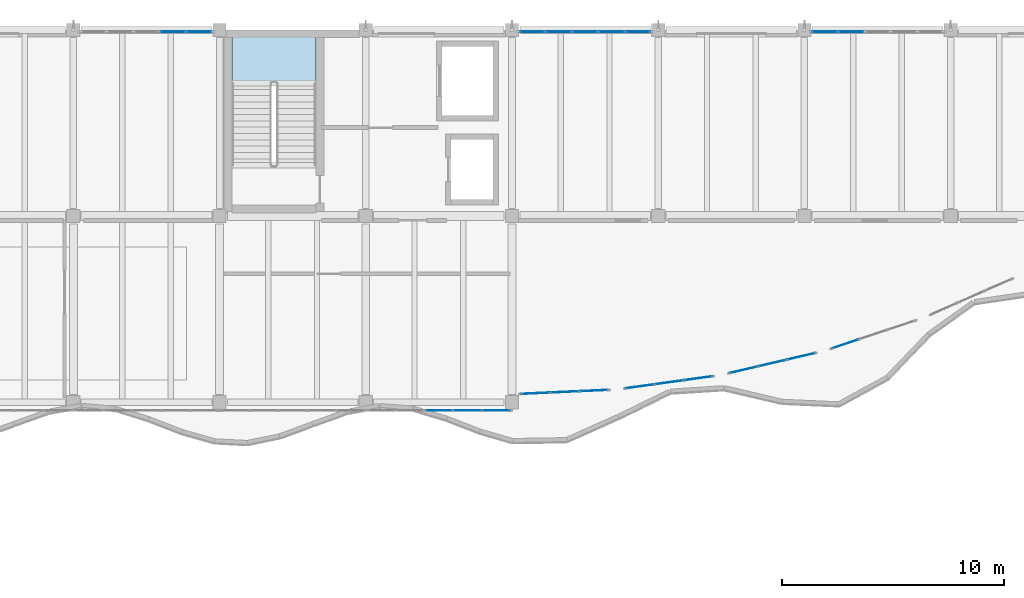
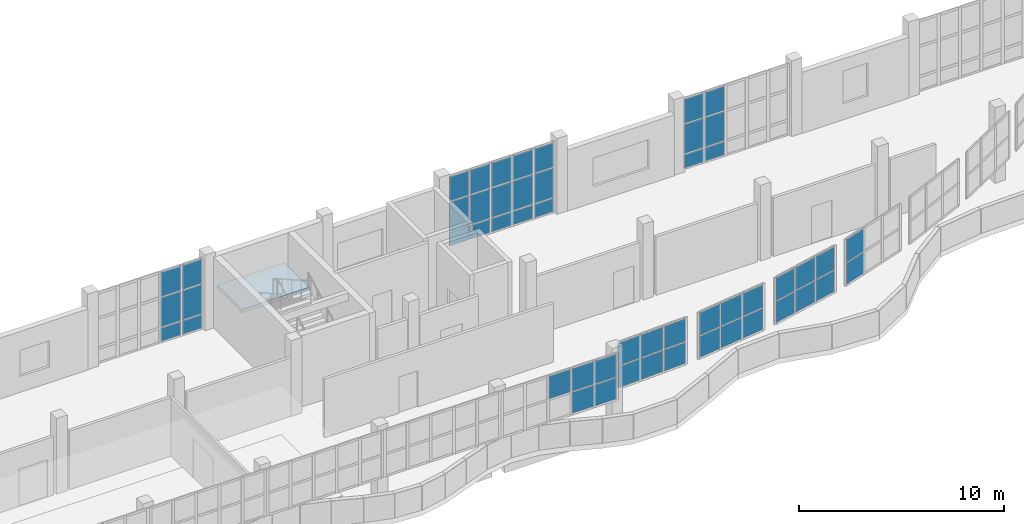
# One storey, part 37 of 76: 52 plates, 1 slab, 9 elements without a shape of their own.
"""IFC4 building model written with IfcOpenShell, lengths in metres."""

from ifc_helpers import new_model, si_unit, direction, frame, origin, origin_2d, place, context, subcontext, project, spatial, polyline, rectangle, outline, extrude, material, layer, layer_set, type_object, element, aggregate, save


model = new_model("IFC4")

# Units and contexts
model_context = context("Model", 3, precision=1e-05, world=origin(), true_north=direction((0.0, 1.0)))
body_context = subcontext(model_context, "Body", "Model", "MODEL_VIEW")
ifc_project = project(units=[si_unit("LENGTHUNIT", "METRE"), si_unit("AREAUNIT", "SQUARE_METRE"), si_unit("VOLUMEUNIT", "CUBIC_METRE"), si_unit("PLANEANGLEUNIT", "RADIAN"), si_unit("MASSUNIT", "GRAM", prefix="KILO")], contexts=[model_context])

# Site, building, storey
site_placement = place(None, origin())
site = spatial("IfcSite", under=ifc_project, at=site_placement, CompositionType="ELEMENT")
building_placement = place(site_placement, origin())
building = spatial("IfcBuilding", under=site, at=building_placement, Name="Qaldarim Faculty of Natural and Applied Sciences", CompositionType="ELEMENT")
storey_placement = place(building_placement, frame((0.0, 0.0, 9.89990234375)))
storey = spatial("IfcBuildingStorey", under=building, at=storey_placement, Name="L02", CompositionType="ELEMENT", Elevation=9.89990234375)

# Curtain wall, plates
ifc_material_1 = material(Name="Anodised aluminium AW-6063", Category="aluminium")
curtain_wall_type_1 = type_object("IfcCurtainWallType", Name="CurtainWallSystem-M1200", PredefinedType="USERDEFINED", material=ifc_material_1)
curtain_wall_1_placement = place(storey_placement, origin())
curtain_wall_1 = element("IfcCurtainWall", 1, at=curtain_wall_1_placement, inside=storey, type_object=curtain_wall_type_1, Name="Curtain wall CW-L02-N-X15Y14", ObjectType="STICK CURTAIN WALL", PredefinedType="USERDEFINED")
ifc_material_2 = material(Name="Insulated low-e double glazing", Category="glass")
ifc_layer_1 = layer(ifc_material_2, 0.031982421875)
ifc_layer_set_1 = layer_set([ifc_layer_1], Name="Insulated low-e double glazing")
plate_type_1 = type_object("IfcPlateType", Name="SolarControlGlazingPanel-32", PredefinedType="CURTAIN_PANEL", material=ifc_layer_set_1)
plate_1_placement = place(storey_placement, frame((98.08642578125, 117.52001953125, 0.070068359375), z_axis=(0.0, 0.0, 1.0), x_axis=(-1.0, 0.0, 0.0)))
plate_1 = element("IfcPlate", 2, at=plate_1_placement, type_object=plate_type_1, Name="Glazed panel 1-1 of CW-L02-N-X15Y14", PredefinedType="CURTAIN_PANEL", context=body_context, shape_type="SweptSolid", body=[
    extrude(rectangle(XDim=1.096923828125, YDim=0.031982421875, at=origin_2d()), origin(), (0.0, 0.0, 1.0), 0.794921875),
])
plate_2_placement = place(storey_placement, frame((98.08642578125, 117.52001953125, 0.93505859375), z_axis=(0.0, 0.0, 1.0), x_axis=(-1.0, 0.0, 0.0)))
plate_2 = element("IfcPlate", 3, at=plate_2_placement, type_object=plate_type_1, Name="Glazed panel 1-2 of CW-L02-N-X15Y14", PredefinedType="CURTAIN_PANEL", context=body_context, shape_type="SweptSolid", body=[
    extrude(rectangle(XDim=1.096923828125, YDim=0.031982421875, at=origin_2d()), origin(), (0.0, 0.0, 1.0), 1.72998046875),
])
plate_3_placement = place(storey_placement, frame((98.08642578125, 117.52001953125, 2.735107421875), z_axis=(0.0, 0.0, 1.0), x_axis=(-1.0, 0.0, 0.0)))
plate_3 = element("IfcPlate", 4, at=plate_3_placement, type_object=plate_type_1, Name="Glazed panel 1-3 of CW-L02-N-X15Y14", PredefinedType="CURTAIN_PANEL", context=body_context, shape_type="SweptSolid", body=[
    extrude(rectangle(XDim=1.096923828125, YDim=0.031982421875, at=origin_2d()), origin(), (0.0, 0.0, 1.0), 1.43505859375),
])
plate_4_placement = place(storey_placement, frame((96.902099609375, 117.52001953125, 0.070068359375), z_axis=(0.0, 0.0, 1.0), x_axis=(-1.0, 0.0, 0.0)))
plate_4 = element("IfcPlate", 5, at=plate_4_placement, type_object=plate_type_1, Name="Glazed panel 2-1 of CW-L02-N-X15Y14", PredefinedType="CURTAIN_PANEL", context=body_context, shape_type="SweptSolid", body=[
    extrude(rectangle(XDim=1.132080078125, YDim=0.031982421875, at=origin_2d()), origin(), (0.0, 0.0, 1.0), 0.794921875),
])
plate_5_placement = place(storey_placement, frame((96.902099609375, 117.52001953125, 0.93505859375), z_axis=(0.0, 0.0, 1.0), x_axis=(-1.0, 0.0, 0.0)))
plate_5 = element("IfcPlate", 6, at=plate_5_placement, type_object=plate_type_1, Name="Glazed panel 2-2 of CW-L02-N-X15Y14", PredefinedType="CURTAIN_PANEL", context=body_context, shape_type="SweptSolid", body=[
    extrude(rectangle(XDim=1.132080078125, YDim=0.031982421875, at=origin_2d()), origin(), (0.0, 0.0, 1.0), 1.72998046875),
])
plate_6_placement = place(storey_placement, frame((96.902099609375, 117.52001953125, 2.735107421875), z_axis=(0.0, 0.0, 1.0), x_axis=(-1.0, 0.0, 0.0)))
plate_6 = element("IfcPlate", 7, at=plate_6_placement, type_object=plate_type_1, Name="Glazed panel 2-3 of CW-L02-N-X15Y14", PredefinedType="CURTAIN_PANEL", context=body_context, shape_type="SweptSolid", body=[
    extrude(rectangle(XDim=1.132080078125, YDim=0.031982421875, at=origin_2d()), origin(), (0.0, 0.0, 1.0), 1.43505859375),
])
aggregate(curtain_wall_1, [plate_1, plate_2, plate_3, plate_4, plate_5, plate_6])

curtain_wall_2_placement = place(storey_placement, origin())
curtain_wall_2 = element("IfcCurtainWall", 8, at=curtain_wall_2_placement, inside=storey, type_object=curtain_wall_type_1, Name="Curtain wall CW-L02-N-X18Y14", ObjectType="STICK CURTAIN WALL", PredefinedType="USERDEFINED")
plate_7_placement = place(storey_placement, frame((117.886474609375, 117.52001953125, 0.070068359375), z_axis=(0.0, 0.0, 1.0), x_axis=(-1.0, 0.0, 0.0)))
plate_7 = element("IfcPlate", 9, at=plate_7_placement, type_object=plate_type_1, Name="Glazed panel 1-1 of CW-L02-N-X18Y14", PredefinedType="CURTAIN_PANEL", context=body_context, shape_type="SweptSolid", body=[
    extrude(rectangle(XDim=1.096923828125, YDim=0.031982421875, at=origin_2d()), origin(), (0.0, 0.0, 1.0), 0.794921875),
])
plate_8_placement = place(storey_placement, frame((117.886474609375, 117.52001953125, 0.93505859375), z_axis=(0.0, 0.0, 1.0), x_axis=(-1.0, 0.0, 0.0)))
plate_8 = element("IfcPlate", 10, at=plate_8_placement, type_object=plate_type_1, Name="Glazed panel 1-2 of CW-L02-N-X18Y14", PredefinedType="CURTAIN_PANEL", context=body_context, shape_type="SweptSolid", body=[
    extrude(rectangle(XDim=1.096923828125, YDim=0.031982421875, at=origin_2d()), origin(), (0.0, 0.0, 1.0), 1.72998046875),
])
plate_9_placement = place(storey_placement, frame((117.886474609375, 117.52001953125, 2.735107421875), z_axis=(0.0, 0.0, 1.0), x_axis=(-1.0, 0.0, 0.0)))
plate_9 = element("IfcPlate", 11, at=plate_9_placement, type_object=plate_type_1, Name="Glazed panel 1-3 of CW-L02-N-X18Y14", PredefinedType="CURTAIN_PANEL", context=body_context, shape_type="SweptSolid", body=[
    extrude(rectangle(XDim=1.096923828125, YDim=0.031982421875, at=origin_2d()), origin(), (0.0, 0.0, 1.0), 1.43505859375),
])
plate_10_placement = place(storey_placement, frame((116.701904296875, 117.52001953125, 0.070068359375), z_axis=(0.0, 0.0, 1.0), x_axis=(-1.0, 0.0, 0.0)))
plate_10 = element("IfcPlate", 12, at=plate_10_placement, type_object=plate_type_1, Name="Glazed panel 2-1 of CW-L02-N-X18Y14", PredefinedType="CURTAIN_PANEL", context=body_context, shape_type="SweptSolid", body=[
    extrude(rectangle(XDim=1.132080078125, YDim=0.031982421875, at=origin_2d()), origin(), (0.0, 0.0, 1.0), 0.794921875),
])
plate_11_placement = place(storey_placement, frame((116.701904296875, 117.52001953125, 0.93505859375), z_axis=(0.0, 0.0, 1.0), x_axis=(-1.0, 0.0, 0.0)))
plate_11 = element("IfcPlate", 13, at=plate_11_placement, type_object=plate_type_1, Name="Glazed panel 2-2 of CW-L02-N-X18Y14", PredefinedType="CURTAIN_PANEL", context=body_context, shape_type="SweptSolid", body=[
    extrude(rectangle(XDim=1.132080078125, YDim=0.031982421875, at=origin_2d()), origin(), (0.0, 0.0, 1.0), 1.72998046875),
])
plate_12_placement = place(storey_placement, frame((116.701904296875, 117.52001953125, 2.735107421875), z_axis=(0.0, 0.0, 1.0), x_axis=(-1.0, 0.0, 0.0)))
plate_12 = element("IfcPlate", 14, at=plate_12_placement, type_object=plate_type_1, Name="Glazed panel 2-3 of CW-L02-N-X18Y14", PredefinedType="CURTAIN_PANEL", context=body_context, shape_type="SweptSolid", body=[
    extrude(rectangle(XDim=1.132080078125, YDim=0.031982421875, at=origin_2d()), origin(), (0.0, 0.0, 1.0), 1.43505859375),
])
plate_13_placement = place(storey_placement, frame((115.5, 117.52001953125, 0.070068359375), z_axis=(0.0, 0.0, 1.0), x_axis=(-1.0, 0.0, 0.0)))
plate_13 = element("IfcPlate", 15, at=plate_13_placement, type_object=plate_type_1, Name="Glazed panel 3-1 of CW-L02-N-X18Y14", PredefinedType="CURTAIN_PANEL", context=body_context, shape_type="SweptSolid", body=[
    extrude(rectangle(XDim=1.132080078125, YDim=0.031982421875, at=origin_2d()), origin(), (0.0, 0.0, 1.0), 0.794921875),
])
plate_14_placement = place(storey_placement, frame((115.5, 117.52001953125, 0.93505859375), z_axis=(0.0, 0.0, 1.0), x_axis=(-1.0, 0.0, 0.0)))
plate_14 = element("IfcPlate", 16, at=plate_14_placement, type_object=plate_type_1, Name="Glazed panel 3-2 of CW-L02-N-X18Y14", PredefinedType="CURTAIN_PANEL", context=body_context, shape_type="SweptSolid", body=[
    extrude(rectangle(XDim=1.132080078125, YDim=0.031982421875, at=origin_2d()), origin(), (0.0, 0.0, 1.0), 1.72998046875),
])
plate_15_placement = place(storey_placement, frame((115.5, 117.52001953125, 2.735107421875), z_axis=(0.0, 0.0, 1.0), x_axis=(-1.0, 0.0, 0.0)))
plate_15 = element("IfcPlate", 17, at=plate_15_placement, type_object=plate_type_1, Name="Glazed panel 3-3 of CW-L02-N-X18Y14", PredefinedType="CURTAIN_PANEL", context=body_context, shape_type="SweptSolid", body=[
    extrude(rectangle(XDim=1.132080078125, YDim=0.031982421875, at=origin_2d()), origin(), (0.0, 0.0, 1.0), 1.43505859375),
])
plate_16_placement = place(storey_placement, frame((114.298095703125, 117.52001953125, 0.070068359375), z_axis=(0.0, 0.0, 1.0), x_axis=(-1.0, 0.0, 0.0)))
plate_16 = element("IfcPlate", 18, at=plate_16_placement, type_object=plate_type_1, Name="Glazed panel 4-1 of CW-L02-N-X18Y14", PredefinedType="CURTAIN_PANEL", context=body_context, shape_type="SweptSolid", body=[
    extrude(rectangle(XDim=1.132080078125, YDim=0.031982421875, at=origin_2d()), origin(), (0.0, 0.0, 1.0), 0.794921875),
])
plate_17_placement = place(storey_placement, frame((114.298095703125, 117.52001953125, 0.93505859375), z_axis=(0.0, 0.0, 1.0), x_axis=(-1.0, 0.0, 0.0)))
plate_17 = element("IfcPlate", 19, at=plate_17_placement, type_object=plate_type_1, Name="Glazed panel 4-2 of CW-L02-N-X18Y14", PredefinedType="CURTAIN_PANEL", context=body_context, shape_type="SweptSolid", body=[
    extrude(rectangle(XDim=1.132080078125, YDim=0.031982421875, at=origin_2d()), origin(), (0.0, 0.0, 1.0), 1.72998046875),
])
plate_18_placement = place(storey_placement, frame((114.298095703125, 117.52001953125, 2.735107421875), z_axis=(0.0, 0.0, 1.0), x_axis=(-1.0, 0.0, 0.0)))
plate_18 = element("IfcPlate", 20, at=plate_18_placement, type_object=plate_type_1, Name="Glazed panel 4-3 of CW-L02-N-X18Y14", PredefinedType="CURTAIN_PANEL", context=body_context, shape_type="SweptSolid", body=[
    extrude(rectangle(XDim=1.132080078125, YDim=0.031982421875, at=origin_2d()), origin(), (0.0, 0.0, 1.0), 1.43505859375),
])
plate_19_placement = place(storey_placement, frame((113.113525390625, 117.52001953125, 0.070068359375), z_axis=(0.0, 0.0, 1.0), x_axis=(-1.0, 0.0, 0.0)))
plate_19 = element("IfcPlate", 21, at=plate_19_placement, type_object=plate_type_1, Name="Glazed panel 5-1 of CW-L02-N-X18Y14", PredefinedType="CURTAIN_PANEL", context=body_context, shape_type="SweptSolid", body=[
    extrude(rectangle(XDim=1.096923828125, YDim=0.031982421875, at=origin_2d()), origin(), (0.0, 0.0, 1.0), 0.794921875),
])
plate_20_placement = place(storey_placement, frame((113.113525390625, 117.52001953125, 0.93505859375), z_axis=(0.0, 0.0, 1.0), x_axis=(-1.0, 0.0, 0.0)))
plate_20 = element("IfcPlate", 22, at=plate_20_placement, type_object=plate_type_1, Name="Glazed panel 5-2 of CW-L02-N-X18Y14", PredefinedType="CURTAIN_PANEL", context=body_context, shape_type="SweptSolid", body=[
    extrude(rectangle(XDim=1.096923828125, YDim=0.031982421875, at=origin_2d()), origin(), (0.0, 0.0, 1.0), 1.72998046875),
])
plate_21_placement = place(storey_placement, frame((113.113525390625, 117.52001953125, 2.735107421875), z_axis=(0.0, 0.0, 1.0), x_axis=(-1.0, 0.0, 0.0)))
plate_21 = element("IfcPlate", 23, at=plate_21_placement, type_object=plate_type_1, Name="Glazed panel 5-3 of CW-L02-N-X18Y14", PredefinedType="CURTAIN_PANEL", context=body_context, shape_type="SweptSolid", body=[
    extrude(rectangle(XDim=1.096923828125, YDim=0.031982421875, at=origin_2d()), origin(), (0.0, 0.0, 1.0), 1.43505859375),
])
aggregate(curtain_wall_2, [plate_7, plate_8, plate_9, plate_10, plate_11, plate_12, plate_13, plate_14, plate_15, plate_16, plate_17, plate_18, plate_19, plate_20, plate_21])

curtain_wall_3_placement = place(storey_placement, origin())
curtain_wall_3 = element("IfcCurtainWall", 24, at=curtain_wall_3_placement, inside=storey, type_object=curtain_wall_type_1, Name="Curtain wall CW-L02-N-X20Y14", ObjectType="STICK CURTAIN WALL", PredefinedType="USERDEFINED")
plate_22_placement = place(storey_placement, frame((127.498046875, 117.52001953125, 0.070068359375), z_axis=(0.0, 0.0, 1.0), x_axis=(-1.0, 0.0, 0.0)))
plate_22 = element("IfcPlate", 25, at=plate_22_placement, type_object=plate_type_1, Name="Glazed panel 4-1 of CW-L02-N-X20Y14", PredefinedType="CURTAIN_PANEL", context=body_context, shape_type="SweptSolid", body=[
    extrude(rectangle(XDim=1.132080078125, YDim=0.031982421875, at=origin_2d()), origin(), (0.0, 0.0, 1.0), 0.794921875),
])
plate_23_placement = place(storey_placement, frame((127.498046875, 117.52001953125, 0.93505859375), z_axis=(0.0, 0.0, 1.0), x_axis=(-1.0, 0.0, 0.0)))
plate_23 = element("IfcPlate", 26, at=plate_23_placement, type_object=plate_type_1, Name="Glazed panel 4-2 of CW-L02-N-X20Y14", PredefinedType="CURTAIN_PANEL", context=body_context, shape_type="SweptSolid", body=[
    extrude(rectangle(XDim=1.132080078125, YDim=0.031982421875, at=origin_2d()), origin(), (0.0, 0.0, 1.0), 1.72998046875),
])
plate_24_placement = place(storey_placement, frame((127.498046875, 117.52001953125, 2.735107421875), z_axis=(0.0, 0.0, 1.0), x_axis=(-1.0, 0.0, 0.0)))
plate_24 = element("IfcPlate", 27, at=plate_24_placement, type_object=plate_type_1, Name="Glazed panel 4-3 of CW-L02-N-X20Y14", PredefinedType="CURTAIN_PANEL", context=body_context, shape_type="SweptSolid", body=[
    extrude(rectangle(XDim=1.132080078125, YDim=0.031982421875, at=origin_2d()), origin(), (0.0, 0.0, 1.0), 1.43505859375),
])
plate_25_placement = place(storey_placement, frame((126.3134765625, 117.52001953125, 0.070068359375), z_axis=(0.0, 0.0, 1.0), x_axis=(-1.0, 0.0, 0.0)))
plate_25 = element("IfcPlate", 28, at=plate_25_placement, type_object=plate_type_1, Name="Glazed panel 5-1 of CW-L02-N-X20Y14", PredefinedType="CURTAIN_PANEL", context=body_context, shape_type="SweptSolid", body=[
    extrude(rectangle(XDim=1.096923828125, YDim=0.031982421875, at=origin_2d()), origin(), (0.0, 0.0, 1.0), 0.794921875),
])
plate_26_placement = place(storey_placement, frame((126.3134765625, 117.52001953125, 0.93505859375), z_axis=(0.0, 0.0, 1.0), x_axis=(-1.0, 0.0, 0.0)))
plate_26 = element("IfcPlate", 29, at=plate_26_placement, type_object=plate_type_1, Name="Glazed panel 5-2 of CW-L02-N-X20Y14", PredefinedType="CURTAIN_PANEL", context=body_context, shape_type="SweptSolid", body=[
    extrude(rectangle(XDim=1.096923828125, YDim=0.031982421875, at=origin_2d()), origin(), (0.0, 0.0, 1.0), 1.72998046875),
])
plate_27_placement = place(storey_placement, frame((126.3134765625, 117.52001953125, 2.735107421875), z_axis=(0.0, 0.0, 1.0), x_axis=(-1.0, 0.0, 0.0)))
plate_27 = element("IfcPlate", 30, at=plate_27_placement, type_object=plate_type_1, Name="Glazed panel 5-3 of CW-L02-N-X20Y14", PredefinedType="CURTAIN_PANEL", context=body_context, shape_type="SweptSolid", body=[
    extrude(rectangle(XDim=1.096923828125, YDim=0.031982421875, at=origin_2d()), origin(), (0.0, 0.0, 1.0), 1.43505859375),
])
aggregate(curtain_wall_3, [plate_22, plate_23, plate_24, plate_25, plate_26, plate_27])

# Stair, slab
ifc_material_3 = material(Name="Concrete C40/50", Category="concrete")
stair_type = type_object("IfcStairType", Name="DoglegStair-W1800-H4500-28R", PredefinedType="HALF_TURN_STAIR", material=ifc_material_3)
stair_placement = place(storey_placement, origin())
stair = element("IfcStair", 31, at=stair_placement, inside=storey, type_object=stair_type, Name="Enclosed exit stair ST-B1 L02", PredefinedType="HALF_TURN_STAIR")
ifc_layer_2 = layer(ifc_material_3, 0.2099609375)
ifc_layer_set_2 = layer_set([ifc_layer_2], Name="Concrete C40/50")
slab_type = type_object("IfcSlabType", Name="StairLandingSlab-210", PredefinedType="LANDING", material=ifc_layer_set_2)
slab_placement = place(storey_placement, frame((0.0, 0.0, 2.0400390625)))
slab = element("IfcSlab", 32, at=slab_placement, type_object=slab_type, Name="ST-B1 L02 half-landing 1", PredefinedType="LANDING", context=body_context, shape_type="SweptSolid", body=[
    extrude(outline(polyline([(103.35009765625, 115.18994140625), (103.35009765625, 117.60009765625), (99.550048828125, 117.60009765625), (99.550048828125, 115.18994140625), (103.35009765625, 115.18994140625)])), origin(), (0.0, 0.0, 1.0), 0.2099609375),
])
aggregate(stair, [slab])

# Curtain wall, plates
curtain_wall_type_2 = type_object("IfcCurtainWallType", Name="CurtainWallSystem-M1400", PredefinedType="USERDEFINED", material=ifc_material_1)
curtain_wall_4_placement = place(storey_placement, origin())
curtain_wall_4 = element("IfcCurtainWall", 33, at=curtain_wall_4_placement, inside=storey, type_object=curtain_wall_type_2, Name="Curtain wall CW-V4RIB-L02-X17", ObjectType="STICK CURTAIN WALL", PredefinedType="USERDEFINED")
ifc_layer_3 = layer(ifc_material_2, 0.028076171875)
ifc_layer_set_3 = layer_set([ifc_layer_3], Name="Insulated low-e double glazing")
plate_type_2 = type_object("IfcPlateType", Name="VisionGlazingPanel-28", PredefinedType="CURTAIN_PANEL", material=ifc_layer_set_3)
plate_28_placement = place(storey_placement, frame((108.89990234375, 100.419921875, 2.830078125), z_axis=(0.0, 0.0, 1.0), x_axis=(1.0, 0.0, 0.0)))
plate_28 = element("IfcPlate", 34, at=plate_28_placement, type_object=plate_type_2, Name="Glazed panel 3-2 of CW-V4RIB-L02-X17", PredefinedType="CURTAIN_PANEL", context=body_context, shape_type="SweptSolid", body=[
    extrude(rectangle(XDim=1.243896484375, YDim=0.028076171875, at=origin_2d()), origin(), (0.0, 0.0, 1.0), 1.35009765625),
])
plate_29_placement = place(storey_placement, frame((110.2041015625, 100.419921875, 1.51025390625), z_axis=(0.0, 0.0, 1.0), x_axis=(1.0, 0.0, 0.0)))
plate_29 = element("IfcPlate", 35, at=plate_29_placement, type_object=plate_type_2, Name="Glazed panel 4-1 of CW-V4RIB-L02-X17", PredefinedType="CURTAIN_PANEL", context=body_context, shape_type="SweptSolid", body=[
    extrude(rectangle(XDim=1.243896484375, YDim=0.028076171875, at=origin_2d()), origin(), (0.0, 0.0, 1.0), 1.260009765625),
])
plate_30_placement = place(storey_placement, frame((110.2041015625, 100.419921875, 2.830078125), z_axis=(0.0, 0.0, 1.0), x_axis=(1.0, 0.0, 0.0)))
plate_30 = element("IfcPlate", 36, at=plate_30_placement, type_object=plate_type_2, Name="Glazed panel 4-2 of CW-V4RIB-L02-X17", PredefinedType="CURTAIN_PANEL", context=body_context, shape_type="SweptSolid", body=[
    extrude(rectangle(XDim=1.243896484375, YDim=0.028076171875, at=origin_2d()), origin(), (0.0, 0.0, 1.0), 1.35009765625),
])
plate_31_placement = place(storey_placement, frame((111.492919921875, 100.419921875, 1.51025390625), z_axis=(0.0, 0.0, 1.0), x_axis=(1.0, 0.0, 0.0)))
plate_31 = element("IfcPlate", 37, at=plate_31_placement, type_object=plate_type_2, Name="Glazed panel 5-1 of CW-V4RIB-L02-X17", PredefinedType="CURTAIN_PANEL", context=body_context, shape_type="SweptSolid", body=[
    extrude(rectangle(XDim=1.214111328125, YDim=0.028076171875, at=origin_2d()), origin(), (0.0, 0.0, 1.0), 1.260009765625),
])
plate_32_placement = place(storey_placement, frame((111.492919921875, 100.419921875, 2.830078125), z_axis=(0.0, 0.0, 1.0), x_axis=(1.0, 0.0, 0.0)))
plate_32 = element("IfcPlate", 38, at=plate_32_placement, type_object=plate_type_2, Name="Glazed panel 5-2 of CW-V4RIB-L02-X17", PredefinedType="CURTAIN_PANEL", context=body_context, shape_type="SweptSolid", body=[
    extrude(rectangle(XDim=1.214111328125, YDim=0.028076171875, at=origin_2d()), origin(), (0.0, 0.0, 1.0), 1.35009765625),
])
aggregate(curtain_wall_4, [plate_28, plate_29, plate_30, plate_31, plate_32])

curtain_wall_5_placement = place(storey_placement, origin())
curtain_wall_5 = element("IfcCurtainWall", 39, at=curtain_wall_5_placement, inside=storey, type_object=curtain_wall_type_2, Name="Curtain wall CW-V4ARC-L02-00", ObjectType="STICK CURTAIN WALL", PredefinedType="USERDEFINED")
plate_33_placement = place(storey_placement, frame((113.23828125, 101.196533203125, 1.51025390625), z_axis=(0.0, 0.0, 1.0), x_axis=(0.998953078013, 0.045746561938, 0.0)))
plate_33 = element("IfcPlate", 40, at=plate_33_placement, type_object=plate_type_2, Name="Glazed panel 1-1 of CW-V4ARC-L02-00", PredefinedType="CURTAIN_PANEL", context=body_context, shape_type="SweptSolid", body=[
    extrude(rectangle(XDim=1.258056640625, YDim=0.028076171875, at=origin_2d()), origin(), (0.0, 0.0, 1.0), 1.260009765625),
])
plate_34_placement = place(storey_placement, frame((113.23828125, 101.196533203125, 2.830078125), z_axis=(0.0, 0.0, 1.0), x_axis=(0.998953078013, 0.045746561938, 0.0)))
plate_34 = element("IfcPlate", 41, at=plate_34_placement, type_object=plate_type_2, Name="Glazed panel 1-2 of CW-V4ARC-L02-00", PredefinedType="CURTAIN_PANEL", context=body_context, shape_type="SweptSolid", body=[
    extrude(rectangle(XDim=1.258056640625, YDim=0.028076171875, at=origin_2d()), origin(), (0.0, 0.0, 1.0), 1.35009765625),
])
plate_35_placement = place(storey_placement, frame((114.570068359375, 101.257568359375, 1.51025390625), z_axis=(0.0, 0.0, 1.0), x_axis=(0.998953078013, 0.045746561938, 0.0)))
plate_35 = element("IfcPlate", 42, at=plate_35_placement, type_object=plate_type_2, Name="Glazed panel 2-1 of CW-V4ARC-L02-00", PredefinedType="CURTAIN_PANEL", context=body_context, shape_type="SweptSolid", body=[
    extrude(rectangle(XDim=1.2880859375, YDim=0.028076171875, at=origin_2d()), origin(), (0.0, 0.0, 1.0), 1.260009765625),
])
plate_36_placement = place(storey_placement, frame((114.570068359375, 101.257568359375, 2.830078125), z_axis=(0.0, 0.0, 1.0), x_axis=(0.998953078013, 0.045746561938, 0.0)))
plate_36 = element("IfcPlate", 43, at=plate_36_placement, type_object=plate_type_2, Name="Glazed panel 2-2 of CW-V4ARC-L02-00", PredefinedType="CURTAIN_PANEL", context=body_context, shape_type="SweptSolid", body=[
    extrude(rectangle(XDim=1.2880859375, YDim=0.028076171875, at=origin_2d()), origin(), (0.0, 0.0, 1.0), 1.35009765625),
])
plate_37_placement = place(storey_placement, frame((115.901611328125, 101.318603515625, 1.51025390625), z_axis=(0.0, 0.0, 1.0), x_axis=(0.998953078013, 0.045746561938, 0.0)))
plate_37 = element("IfcPlate", 44, at=plate_37_placement, type_object=plate_type_2, Name="Glazed panel 3-1 of CW-V4ARC-L02-00", PredefinedType="CURTAIN_PANEL", context=body_context, shape_type="SweptSolid", body=[
    extrude(rectangle(XDim=1.258056640625, YDim=0.028076171875, at=origin_2d()), origin(), (0.0, 0.0, 1.0), 1.260009765625),
])
plate_38_placement = place(storey_placement, frame((115.901611328125, 101.318603515625, 2.830078125), z_axis=(0.0, 0.0, 1.0), x_axis=(0.998953078013, 0.045746561938, 0.0)))
plate_38 = element("IfcPlate", 45, at=plate_38_placement, type_object=plate_type_2, Name="Glazed panel 3-2 of CW-V4ARC-L02-00", PredefinedType="CURTAIN_PANEL", context=body_context, shape_type="SweptSolid", body=[
    extrude(rectangle(XDim=1.258056640625, YDim=0.028076171875, at=origin_2d()), origin(), (0.0, 0.0, 1.0), 1.35009765625),
])
aggregate(curtain_wall_5, [plate_33, plate_34, plate_35, plate_36, plate_37, plate_38])

curtain_wall_6_placement = place(storey_placement, origin())
curtain_wall_6 = element("IfcCurtainWall", 46, at=curtain_wall_6_placement, inside=storey, type_object=curtain_wall_type_2, Name="Curtain wall CW-V4ARC-L02-02", ObjectType="STICK CURTAIN WALL", PredefinedType="USERDEFINED")
plate_39_placement = place(storey_placement, frame((117.96826171875, 101.509521484375, 1.51025390625), z_axis=(0.0, 0.0, 1.0), x_axis=(0.990557380089, 0.137098784642, 0.0)))
plate_39 = element("IfcPlate", 47, at=plate_39_placement, type_object=plate_type_2, Name="Glazed panel 1-1 of CW-V4ARC-L02-02", PredefinedType="CURTAIN_PANEL", context=body_context, shape_type="SweptSolid", body=[
    extrude(rectangle(XDim=1.259521484375, YDim=0.028076171875, at=origin_2d()), origin(), (0.0, 0.0, 1.0), 1.260009765625),
])
plate_40_placement = place(storey_placement, frame((117.96826171875, 101.509521484375, 2.830078125), z_axis=(0.0, 0.0, 1.0), x_axis=(0.990557380089, 0.137098784642, 0.0)))
plate_40 = element("IfcPlate", 48, at=plate_40_placement, type_object=plate_type_2, Name="Glazed panel 1-2 of CW-V4ARC-L02-02", PredefinedType="CURTAIN_PANEL", context=body_context, shape_type="SweptSolid", body=[
    extrude(rectangle(XDim=1.259521484375, YDim=0.028076171875, at=origin_2d()), origin(), (0.0, 0.0, 1.0), 1.35009765625),
])
plate_41_placement = place(storey_placement, frame((119.2900390625, 101.6923828125, 1.51025390625), z_axis=(0.0, 0.0, 1.0), x_axis=(0.990557380089, 0.137098784642, 0.0)))
plate_41 = element("IfcPlate", 49, at=plate_41_placement, type_object=plate_type_2, Name="Glazed panel 2-1 of CW-V4ARC-L02-02", PredefinedType="CURTAIN_PANEL", context=body_context, shape_type="SweptSolid", body=[
    extrude(rectangle(XDim=1.289306640625, YDim=0.028076171875, at=origin_2d()), origin(), (0.0, 0.0, 1.0), 1.260009765625),
])
plate_42_placement = place(storey_placement, frame((119.2900390625, 101.6923828125, 2.830078125), z_axis=(0.0, 0.0, 1.0), x_axis=(0.990557380089, 0.137098784642, 0.0)))
plate_42 = element("IfcPlate", 50, at=plate_42_placement, type_object=plate_type_2, Name="Glazed panel 2-2 of CW-V4ARC-L02-02", PredefinedType="CURTAIN_PANEL", context=body_context, shape_type="SweptSolid", body=[
    extrude(rectangle(XDim=1.289306640625, YDim=0.028076171875, at=origin_2d()), origin(), (0.0, 0.0, 1.0), 1.35009765625),
])
plate_43_placement = place(storey_placement, frame((120.61181640625, 101.87548828125, 1.51025390625), z_axis=(0.0, 0.0, 1.0), x_axis=(0.990557380089, 0.137098784642, 0.0)))
plate_43 = element("IfcPlate", 51, at=plate_43_placement, type_object=plate_type_2, Name="Glazed panel 3-1 of CW-V4ARC-L02-02", PredefinedType="CURTAIN_PANEL", context=body_context, shape_type="SweptSolid", body=[
    extrude(rectangle(XDim=1.259521484375, YDim=0.028076171875, at=origin_2d()), origin(), (0.0, 0.0, 1.0), 1.260009765625),
])
plate_44_placement = place(storey_placement, frame((120.61181640625, 101.87548828125, 2.830078125), z_axis=(0.0, 0.0, 1.0), x_axis=(0.990557380089, 0.137098784642, 0.0)))
plate_44 = element("IfcPlate", 52, at=plate_44_placement, type_object=plate_type_2, Name="Glazed panel 3-2 of CW-V4ARC-L02-02", PredefinedType="CURTAIN_PANEL", context=body_context, shape_type="SweptSolid", body=[
    extrude(rectangle(XDim=1.259521484375, YDim=0.028076171875, at=origin_2d()), origin(), (0.0, 0.0, 1.0), 1.35009765625),
])
aggregate(curtain_wall_6, [plate_39, plate_40, plate_41, plate_42, plate_43, plate_44])

curtain_wall_7_placement = place(storey_placement, origin())
curtain_wall_7 = element("IfcCurtainWall", 53, at=curtain_wall_7_placement, inside=storey, type_object=curtain_wall_type_2, Name="Curtain wall CW-V4ARC-L02-04", ObjectType="STICK CURTAIN WALL", PredefinedType="USERDEFINED")
plate_45_placement = place(storey_placement, frame((122.6513671875, 102.256591796875, 1.51025390625), z_axis=(0.0, 0.0, 1.0), x_axis=(0.973805593108, 0.2273822043, 0.0)))
plate_45 = element("IfcPlate", 54, at=plate_45_placement, type_object=plate_type_2, Name="Glazed panel 1-1 of CW-V4ARC-L02-04", PredefinedType="CURTAIN_PANEL", context=body_context, shape_type="SweptSolid", body=[
    extrude(rectangle(XDim=1.2587890625, YDim=0.028076171875, at=origin_2d()), origin(), (0.0, 0.0, 1.0), 1.260009765625),
])
plate_46_placement = place(storey_placement, frame((122.6513671875, 102.256591796875, 2.830078125), z_axis=(0.0, 0.0, 1.0), x_axis=(0.973805593108, 0.2273822043, 0.0)))
plate_46 = element("IfcPlate", 55, at=plate_46_placement, type_object=plate_type_2, Name="Glazed panel 1-2 of CW-V4ARC-L02-04", PredefinedType="CURTAIN_PANEL", context=body_context, shape_type="SweptSolid", body=[
    extrude(rectangle(XDim=1.2587890625, YDim=0.028076171875, at=origin_2d()), origin(), (0.0, 0.0, 1.0), 1.35009765625),
])
plate_47_placement = place(storey_placement, frame((123.949951171875, 102.56005859375, 1.51025390625), z_axis=(0.0, 0.0, 1.0), x_axis=(0.973805593108, 0.2273822043, 0.0)))
plate_47 = element("IfcPlate", 56, at=plate_47_placement, type_object=plate_type_2, Name="Glazed panel 2-1 of CW-V4ARC-L02-04", PredefinedType="CURTAIN_PANEL", context=body_context, shape_type="SweptSolid", body=[
    extrude(rectangle(XDim=1.288818359375, YDim=0.028076171875, at=origin_2d()), origin(), (0.0, 0.0, 1.0), 1.260009765625),
])
plate_48_placement = place(storey_placement, frame((123.949951171875, 102.56005859375, 2.830078125), z_axis=(0.0, 0.0, 1.0), x_axis=(0.973805593108, 0.2273822043, 0.0)))
plate_48 = element("IfcPlate", 57, at=plate_48_placement, type_object=plate_type_2, Name="Glazed panel 2-2 of CW-V4ARC-L02-04", PredefinedType="CURTAIN_PANEL", context=body_context, shape_type="SweptSolid", body=[
    extrude(rectangle(XDim=1.288818359375, YDim=0.028076171875, at=origin_2d()), origin(), (0.0, 0.0, 1.0), 1.35009765625),
])
plate_49_placement = place(storey_placement, frame((125.248779296875, 102.86328125, 1.51025390625), z_axis=(0.0, 0.0, 1.0), x_axis=(0.973805593108, 0.2273822043, 0.0)))
plate_49 = element("IfcPlate", 58, at=plate_49_placement, type_object=plate_type_2, Name="Glazed panel 3-1 of CW-V4ARC-L02-04", PredefinedType="CURTAIN_PANEL", context=body_context, shape_type="SweptSolid", body=[
    extrude(rectangle(XDim=1.2587890625, YDim=0.028076171875, at=origin_2d()), origin(), (0.0, 0.0, 1.0), 1.260009765625),
])
plate_50_placement = place(storey_placement, frame((125.248779296875, 102.86328125, 2.830078125), z_axis=(0.0, 0.0, 1.0), x_axis=(0.973805593108, 0.2273822043, 0.0)))
plate_50 = element("IfcPlate", 59, at=plate_50_placement, type_object=plate_type_2, Name="Glazed panel 3-2 of CW-V4ARC-L02-04", PredefinedType="CURTAIN_PANEL", context=body_context, shape_type="SweptSolid", body=[
    extrude(rectangle(XDim=1.2587890625, YDim=0.028076171875, at=origin_2d()), origin(), (0.0, 0.0, 1.0), 1.35009765625),
])
aggregate(curtain_wall_7, [plate_45, plate_46, plate_47, plate_48, plate_49, plate_50])

curtain_wall_8_placement = place(storey_placement, origin())
curtain_wall_8 = element("IfcCurtainWall", 60, at=curtain_wall_8_placement, inside=storey, type_object=curtain_wall_type_2, Name="Curtain wall CW-V4ARC-L02-06", ObjectType="STICK CURTAIN WALL", PredefinedType="USERDEFINED")
plate_51_placement = place(storey_placement, frame((127.248291015625, 103.427978515625, 1.51025390625), z_axis=(0.0, 0.0, 1.0), x_axis=(0.94856152259, 0.316592858196, 0.0)))
plate_51 = element("IfcPlate", 61, at=plate_51_placement, type_object=plate_type_2, Name="Glazed panel 1-1 of CW-V4ARC-L02-06", PredefinedType="CURTAIN_PANEL", context=body_context, shape_type="SweptSolid", body=[
    extrude(rectangle(XDim=1.2578125, YDim=0.028076171875, at=origin_2d()), origin(), (0.0, 0.0, 1.0), 1.260009765625),
])
plate_52_placement = place(storey_placement, frame((127.248291015625, 103.427978515625, 2.830078125), z_axis=(0.0, 0.0, 1.0), x_axis=(0.94856152259, 0.316592858196, 0.0)))
plate_52 = element("IfcPlate", 62, at=plate_52_placement, type_object=plate_type_2, Name="Glazed panel 1-2 of CW-V4ARC-L02-06", PredefinedType="CURTAIN_PANEL", context=body_context, shape_type="SweptSolid", body=[
    extrude(rectangle(XDim=1.2578125, YDim=0.028076171875, at=origin_2d()), origin(), (0.0, 0.0, 1.0), 1.35009765625),
])
aggregate(curtain_wall_8, [plate_51, plate_52])

save(model, "model.ifc")
